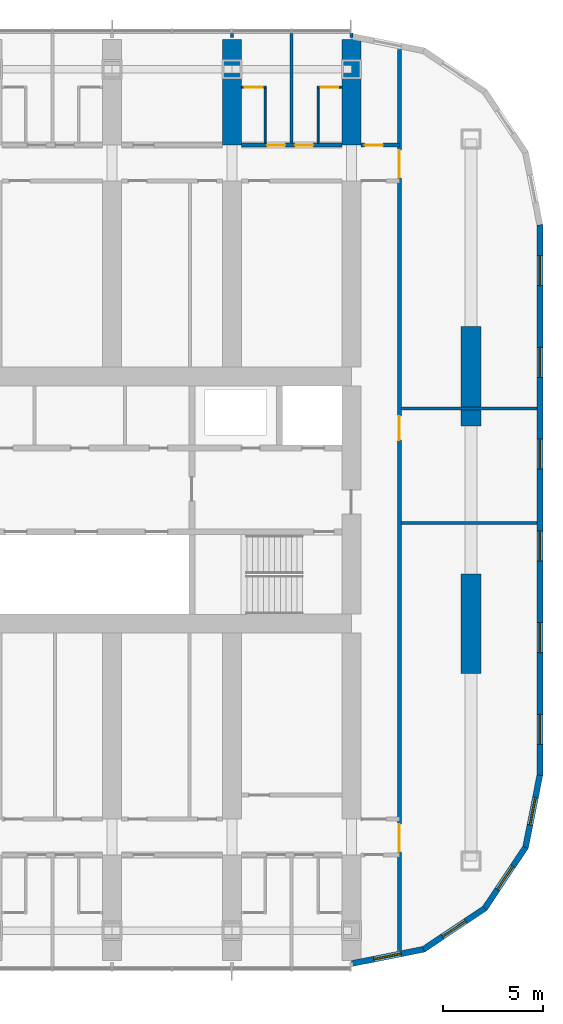
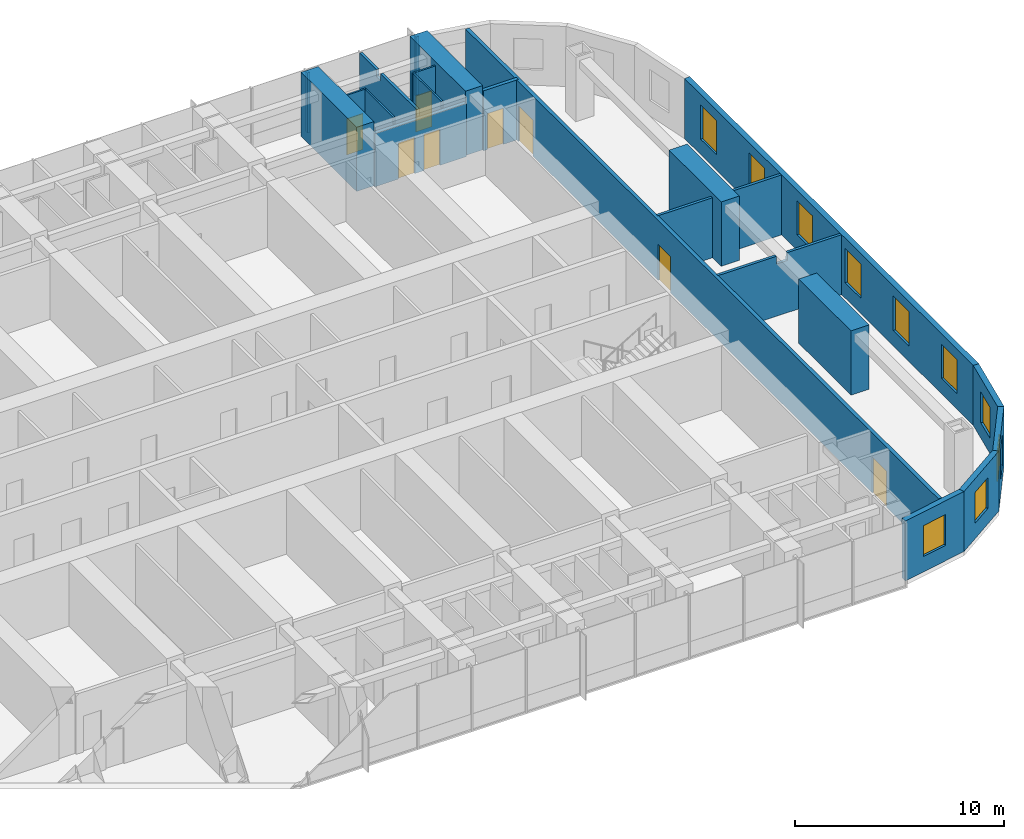
# One storey, part 15 of 21: 21 walls, 10 windows, 8 doors, 18 openings.
"""IFC4 building model written with IfcOpenShell, lengths in metres."""

from ifc_helpers import new_model, si_unit, direction, frame, frame_2d, origin, place, context, subcontext, project, spatial, polyline, rectangle, outline, extrude, material, layer, layer_set, type_object, element, fill, save


model = new_model("IFC4")

# Units and contexts
model_context = context("Model", 3, precision=1e-05, world=origin(), true_north=direction((0.0, 1.0)))
body_context = subcontext(model_context, "Body", "Model", "MODEL_VIEW")
ifc_project = project(units=[si_unit("LENGTHUNIT", "METRE"), si_unit("AREAUNIT", "SQUARE_METRE"), si_unit("VOLUMEUNIT", "CUBIC_METRE"), si_unit("PLANEANGLEUNIT", "RADIAN"), si_unit("MASSUNIT", "GRAM", prefix="KILO")], contexts=[model_context])

# Site, building, storey
site_placement = place(None, origin())
site = spatial("IfcSite", under=ifc_project, at=site_placement, CompositionType="ELEMENT")
building_placement = place(site_placement, origin())
building = spatial("IfcBuilding", under=site, at=building_placement, Name="Orbita Commons", CompositionType="ELEMENT")
storey_placement = place(building_placement, frame((0.0, 0.0, 103.14990234375)))
storey = spatial("IfcBuildingStorey", under=building, at=storey_placement, Name="L25", CompositionType="ELEMENT", Elevation=103.14990234375)

# Wall, openings, doors
ifc_material_1 = material(Name="Concrete blockwork", Category="masonry")
ifc_layer_1 = layer(ifc_material_1, 0.199951171875)
ifc_layer_set_1 = layer_set([ifc_layer_1], Name="Concrete blockwork")
wall_type_1 = type_object("IfcWallType", Name="Corridor wall 200 blockwork", PredefinedType="SOLIDWALL", material=ifc_layer_set_1)
wall_1_placement = place(storey_placement, frame((60.47509765625, 49.800048828125, 0.0), z_axis=(0.0, 0.0, 1.0), x_axis=(1.0, 0.0, 0.0)))
wall_1 = element("IfcWall", 1, at=wall_1_placement, inside=storey, type_object=wall_type_1, Name="Corridor wall 200 blockwork L25", PredefinedType="SOLIDWALL", context=body_context, shape_type="SweptSolid", body=[
    extrude(outline(polyline([(0.0, 0.0), (5.0498046875, 0.0), (5.050048828125, 3.10009765625), (0.0, 3.10009765625), (0.0, 0.0)])), frame((0.0, 0.10009765625, 0.0), z_axis=(0.0, -1.0, 0.0), x_axis=(1.0, 0.0, 0.0)), (0.0, 0.0, 1.0), 0.199951171875),
])
opening_1_placement = place(wall_1_placement, frame((1.300048828125, 0.0, 0.0)))
opening_1 = element("IfcOpeningElement", 2, at=opening_1_placement, cuts=wall_1, Name="Opening D11", PredefinedType="OPENING", context=body_context, shape_type="SweptSolid", body=[
    extrude(rectangle(XDim=0.89990234375, YDim=2.10009765625, at=frame_2d((0.449951171875, 1.050048828125))), frame((0.0, 0.10986328125, 0.0), z_axis=(0.0, -1.0, 0.0), x_axis=(1.0, 0.0, 0.0)), (0.0, 0.0, 1.0), 0.219970703125),
])
opening_2_placement = place(wall_1_placement, frame((2.699951171875, 0.0, 0.0)))
opening_2 = element("IfcOpeningElement", 3, at=opening_2_placement, cuts=wall_1, Name="Opening D11", PredefinedType="OPENING", context=body_context, shape_type="SweptSolid", body=[
    extrude(rectangle(XDim=0.89990234375, YDim=2.10009765625, at=frame_2d((0.449951171875, 1.050048828125))), frame((0.0, 0.10986328125, 0.0), z_axis=(0.0, -1.0, 0.0), x_axis=(1.0, 0.0, 0.0)), (0.0, 0.0, 1.0), 0.219970703125),
])
ifc_material_2 = material(Name="Steel-faced fire door leaf", Category="steel")
door_type_1 = type_object("IfcDoorType", Name="Corridor door 20 min 900x2100", OperationType="SINGLE_SWING_LEFT", PredefinedType="DOOR", material=ifc_material_2)
door_1_placement = place(opening_1_placement, origin())
door_1 = element("IfcDoor", 4, at=door_1_placement, inside=storey, type_object=door_type_1, Name="Cluster bedroom L25-N16 door", OperationType="SINGLE_SWING_LEFT", OverallHeight=2.10009765625, OverallWidth=0.89990234375, PredefinedType="DOOR", context=body_context, shape_type="SweptSolid", body=[
    extrude(rectangle(XDim=0.89990234375, YDim=2.10009765625, at=frame_2d((0.449951171875, 1.050048828125))), frame((0.0, 0.02490234375, 0.0), z_axis=(0.0, -1.0, 0.0), x_axis=(1.0, 0.0, 0.0)), (0.0, 0.0, 1.0), 0.050048828125),
])
fill(opening_1, door_1)
door_2_placement = place(opening_2_placement, origin())
door_2 = element("IfcDoor", 5, at=door_2_placement, inside=storey, type_object=door_type_1, Name="Cluster bedroom L25-N17 door", OperationType="SINGLE_SWING_LEFT", OverallHeight=2.10009765625, OverallWidth=0.89990234375, PredefinedType="DOOR", context=body_context, shape_type="SweptSolid", body=[
    extrude(rectangle(XDim=0.89990234375, YDim=2.10009765625, at=frame_2d((0.449951171875, 1.050048828125))), frame((0.0, 0.02490234375, 0.0), z_axis=(0.0, -1.0, 0.0), x_axis=(1.0, 0.0, 0.0)), (0.0, 0.0, 1.0), 0.050048828125),
])
fill(opening_2, door_2)

# Wall, opening, door
wall_2_placement = place(storey_placement, frame((66.47509765625, 49.800048828125, 0.0), z_axis=(0.0, 0.0, 1.0), x_axis=(1.0, 0.0, 0.0)))
wall_2 = element("IfcWall", 6, at=wall_2_placement, inside=storey, type_object=wall_type_1, Name="Corridor wall 200 blockwork L25", PredefinedType="SOLIDWALL", context=body_context, shape_type="SweptSolid", body=[
    extrude(rectangle(XDim=1.9248046875, YDim=0.199951171875, at=frame_2d((0.96240234375, 0.0))), origin(), (0.0, 0.0, 1.0), 3.5),
])
opening_3_placement = place(wall_2_placement, frame((0.199951171875, 0.0, 0.0)))
opening_3 = element("IfcOpeningElement", 7, at=opening_3_placement, cuts=wall_2, Name="Opening D05", PredefinedType="OPENING", context=body_context, shape_type="SweptSolid", body=[
    extrude(rectangle(XDim=0.89990234375, YDim=2.10009765625, at=frame_2d((0.449951171875, 1.050048828125))), frame((0.0, 0.10986328125, 0.0), z_axis=(0.0, -1.0, 0.0), x_axis=(1.0, 0.0, 0.0)), (0.0, 0.0, 1.0), 0.219970703125),
])
ifc_material_3 = material(Name="Steel-faced fire door leaf", Category="steel")
door_type_2 = type_object("IfcDoorType", Name="Service door 20 min 900x2100", OperationType="SINGLE_SWING_LEFT", PredefinedType="DOOR", material=ifc_material_3)
door_3_placement = place(opening_3_placement, origin())
door_3 = element("IfcDoor", 8, at=door_3_placement, inside=storey, type_object=door_type_2, Name="Linen store L25-KEN door", OperationType="SINGLE_SWING_LEFT", OverallHeight=2.10009765625, OverallWidth=0.89990234375, PredefinedType="DOOR", context=body_context, shape_type="SweptSolid", body=[
    extrude(rectangle(XDim=0.89990234375, YDim=2.10009765625, at=frame_2d((0.449951171875, 1.050048828125))), frame((0.0, 0.02490234375, 0.0), z_axis=(0.0, -1.0, 0.0), x_axis=(1.0, 0.0, 0.0)), (0.0, 0.0, 1.0), 0.050048828125),
])
fill(opening_3, door_3)

# Wall, openings, doors
wall_3_placement = place(storey_placement, frame((68.39990234375, 9.4052734375, 0.0), z_axis=(0.0, 0.0, 1.0), x_axis=(0.0, 1.0, 0.0)))
wall_3 = element("IfcWall", 9, at=wall_3_placement, inside=storey, type_object=wall_type_1, Name="Corridor wall 200 blockwork L25", PredefinedType="SOLIDWALL", context=body_context, shape_type="SweptSolid", body=[
    extrude(rectangle(XDim=45.189453125, YDim=0.199951171875, at=frame_2d((22.5947265625, 0.0))), origin(), (0.0, 0.0, 1.0), 3.5),
])
opening_4_placement = place(wall_3_placement, frame((25.5947265625, 0.0, 0.0)))
opening_4 = element("IfcOpeningElement", 10, at=opening_4_placement, cuts=wall_3, Name="Opening D15", PredefinedType="OPENING", context=body_context, shape_type="SweptSolid", body=[
    extrude(rectangle(XDim=1.199951171875, YDim=2.10009765625, at=frame_2d((0.60009765625, 1.050048828125))), frame((0.0, 0.10986328125, 0.0), z_axis=(0.0, -1.0, 0.0), x_axis=(1.0, 0.0, 0.0)), (0.0, 0.0, 1.0), 0.219970703125),
])
opening_5_placement = place(wall_3_placement, frame((4.94482421875, 0.0, 0.0)))
opening_5 = element("IfcOpeningElement", 11, at=opening_5_placement, cuts=wall_3, Name="Opening D08", PredefinedType="OPENING", context=body_context, shape_type="SweptSolid", body=[
    extrude(rectangle(XDim=1.39990234375, YDim=2.10009765625, at=frame_2d((0.699951171875, 1.050048828125))), frame((0.0, 0.10986328125, 0.0), z_axis=(0.0, -1.0, 0.0), x_axis=(1.0, 0.0, 0.0)), (0.0, 0.0, 1.0), 0.219970703125),
])
opening_6_placement = place(wall_3_placement, frame((38.74462890625, 0.0, 0.0)))
opening_6 = element("IfcOpeningElement", 12, at=opening_6_placement, cuts=wall_3, Name="Opening D08", PredefinedType="OPENING", context=body_context, shape_type="SweptSolid", body=[
    extrude(rectangle(XDim=1.39990234375, YDim=2.10009765625, at=frame_2d((0.699951171875, 1.050048828125))), frame((0.0, 0.10986328125, 0.0), z_axis=(0.0, -1.0, 0.0), x_axis=(1.0, 0.0, 0.0)), (0.0, 0.0, 1.0), 0.219970703125),
])
ifc_material_4 = material(Name="Steel-faced fire door leaf", Category="steel")
door_type_3 = type_object("IfcDoorType", Name="Corridor door 20 min 1200x2100", OperationType="SINGLE_SWING_LEFT", PredefinedType="DOOR", material=ifc_material_4)
door_4_placement = place(opening_4_placement, origin())
door_4 = element("IfcDoor", 13, at=door_4_placement, inside=storey, type_object=door_type_3, Name="Study commons door", OperationType="SINGLE_SWING_LEFT", OverallHeight=2.10009765625, OverallWidth=1.199951171875, PredefinedType="DOOR", context=body_context, shape_type="SweptSolid", body=[
    extrude(rectangle(XDim=1.199951171875, YDim=2.10009765625, at=frame_2d((0.60009765625, 1.050048828125))), frame((0.0, 0.02490234375, 0.0), z_axis=(0.0, -1.0, 0.0), x_axis=(1.0, 0.0, 0.0)), (0.0, 0.0, 1.0), 0.050048828125),
])
fill(opening_4, door_4)
ifc_material_5 = material(Name="Steel-faced fire door leaf", Category="steel")
door_type_4 = type_object("IfcDoorType", Name="Double corridor door 20 min 1400x2100", OperationType="DOUBLE_DOOR_SINGLE_SWING", PredefinedType="DOOR", material=ifc_material_5)
door_5_placement = place(opening_5_placement, origin())
door_5 = element("IfcDoor", 14, at=door_5_placement, inside=storey, type_object=door_type_4, Name="Lounge doors", OperationType="DOUBLE_DOOR_SINGLE_SWING", OverallHeight=2.10009765625, OverallWidth=1.39990234375, PredefinedType="DOOR", context=body_context, shape_type="SweptSolid", body=[
    extrude(rectangle(XDim=1.39990234375, YDim=2.10009765625, at=frame_2d((0.699951171875, 1.050048828125))), frame((0.0, 0.02490234375, 0.0), z_axis=(0.0, -1.0, 0.0), x_axis=(1.0, 0.0, 0.0)), (0.0, 0.0, 1.0), 0.050048828125),
])
fill(opening_5, door_5)
door_6_placement = place(opening_6_placement, origin())
door_6 = element("IfcDoor", 15, at=door_6_placement, inside=storey, type_object=door_type_4, Name="Lounge doors", OperationType="DOUBLE_DOOR_SINGLE_SWING", OverallHeight=2.10009765625, OverallWidth=1.39990234375, PredefinedType="DOOR", context=body_context, shape_type="SweptSolid", body=[
    extrude(rectangle(XDim=1.39990234375, YDim=2.10009765625, at=frame_2d((0.699951171875, 1.050048828125))), frame((0.0, 0.02490234375, 0.0), z_axis=(0.0, -1.0, 0.0), x_axis=(1.0, 0.0, 0.0)), (0.0, 0.0, 1.0), 0.050048828125),
])
fill(opening_6, door_6)

# Walls
ifc_material_6 = material(Name="Concrete C50/60", Category="concrete")
ifc_layer_2 = layer(ifc_material_6, 0.949951171875)
ifc_layer_set_2 = layer_set([ifc_layer_2], Name="Concrete C50/60")
wall_type_2 = type_object("IfcWallType", Name="Cross wall 950 C50/60", PredefinedType="SHEAR", material=ifc_layer_set_2)
for number, where, z_axis, x_axis, name in (
    (16, (60.0, 49.800048828125, 0.0), (0.0, 0.0, 1.0), (0.0, 1.0, 0.0), "Cross wall 11 north outer L25"),
    (17, (66.0, 49.800048828125, 0.0), (0.0, 0.0, 1.0), (0.0, 1.0, 0.0), "Cross wall 12 north outer L25"),
):
    element("IfcWall", number, at=place(storey_placement, frame(where, z_axis=z_axis, x_axis=x_axis)), inside=storey, type_object=wall_type_2, Name=name, PredefinedType="SHEAR", context=body_context, shape_type="SweptSolid", body=[
        extrude(rectangle(XDim=5.300048828125, YDim=0.949951171875, at=frame_2d((2.64990234375, 0.0))), origin(), (0.0, 0.0, 1.0), 3.75),
    ])

# Wall, opening, door
ifc_material_7 = material(Name="Moisture-resistant plasterboard on steel studs", Category="steel")
ifc_layer_3 = layer(ifc_material_7, 0.10009765625)
ifc_layer_set_3 = layer_set([ifc_layer_3], Name="Moisture-resistant plasterboard on steel studs")
wall_type_3 = type_object("IfcWallType", Name="En-suite partition 100", PredefinedType="PARTITIONING", material=ifc_layer_set_3)
wall_4_placement = place(storey_placement, frame((60.47509765625, 52.699951171875, 0.0), z_axis=(0.0, 0.0, 1.0), x_axis=(1.0, 0.0, 0.0)))
wall_4 = element("IfcWall", 18, at=wall_4_placement, inside=storey, type_object=wall_type_3, Name="En-suite partition 100 L25", PredefinedType="PARTITIONING", context=body_context, shape_type="SweptSolid", body=[
    extrude(rectangle(XDim=1.25, YDim=0.10009765625, at=frame_2d((0.625, 0.0))), origin(), (0.0, 0.0, 1.0), 3.5),
])
opening_7_placement = place(wall_4_placement, frame((0.175048828125, 0.0, 0.0)))
opening_7 = element("IfcOpeningElement", 19, at=opening_7_placement, cuts=wall_4, Name="Opening D09", PredefinedType="OPENING", context=body_context, shape_type="SweptSolid", body=[
    extrude(rectangle(XDim=0.89990234375, YDim=2.10009765625, at=frame_2d((0.449951171875, 1.050048828125))), frame((0.0, 0.06005859375, 0.0), z_axis=(0.0, -1.0, 0.0), x_axis=(1.0, 0.0, 0.0)), (0.0, 0.0, 1.0), 0.1201171875),
])
ifc_material_8 = material(Name="Laminated timber door leaf", Category="wood")
door_type_5 = type_object("IfcDoorType", Name="En-suite door 900x2100", OperationType="SINGLE_SWING_RIGHT", PredefinedType="DOOR", material=ifc_material_8)
door_7_placement = place(opening_7_placement, origin())
door_7 = element("IfcDoor", 20, at=door_7_placement, inside=storey, type_object=door_type_5, Name="En-suite L25-N16 door", OperationType="SINGLE_SWING_RIGHT", OverallHeight=2.10009765625, OverallWidth=0.89990234375, PredefinedType="DOOR", context=body_context, shape_type="SweptSolid", body=[
    extrude(rectangle(XDim=0.89990234375, YDim=2.10009765625, at=frame_2d((0.449951171875, 1.050048828125))), frame((0.0, 0.02490234375, 0.0), z_axis=(0.0, -1.0, 0.0), x_axis=(1.0, 0.0, 0.0)), (0.0, 0.0, 1.0), 0.050048828125),
])
fill(opening_7, door_7)

# Wall
wall_5_placement = place(storey_placement, frame((61.675048828125, 52.64990234375, 0.0), z_axis=(0.0, 0.0, 1.0), x_axis=(0.0, -1.0, 0.0)))
element("IfcWall", 21, at=wall_5_placement, inside=storey, type_object=wall_type_3, Name="En-suite partition 100 L25", PredefinedType="PARTITIONING", context=body_context, shape_type="SweptSolid", body=[
    extrude(outline(polyline([(0.0, 0.0), (2.75, 0.0), (2.75, 3.10009765625), (2.701904296875, 3.10009765625), (2.699951171875, 3.5), (0.0, 3.5), (0.0, 0.0)])), frame((0.0, 0.050048828125, 0.0), z_axis=(0.0, -1.0, 0.0), x_axis=(1.0, 0.0, 0.0)), (0.0, 0.0, 1.0), 0.10009765625),
])

# Wall, opening, door
wall_6_placement = place(storey_placement, frame((64.27490234375, 52.699951171875, 0.0), z_axis=(0.0, 0.0, 1.0), x_axis=(1.0, 0.0, 0.0)))
wall_6 = element("IfcWall", 22, at=wall_6_placement, inside=storey, type_object=wall_type_3, Name="En-suite partition 100 L25", PredefinedType="PARTITIONING", context=body_context, shape_type="SweptSolid", body=[
    extrude(rectangle(XDim=1.25, YDim=0.10009765625, at=frame_2d((0.625, 0.0))), origin(), (0.0, 0.0, 1.0), 3.5),
])
opening_8_placement = place(wall_6_placement, frame((0.175048828125, 0.0, 0.0)))
opening_8 = element("IfcOpeningElement", 23, at=opening_8_placement, cuts=wall_6, Name="Opening D09", PredefinedType="OPENING", context=body_context, shape_type="SweptSolid", body=[
    extrude(rectangle(XDim=0.89990234375, YDim=2.10009765625, at=frame_2d((0.449951171875, 1.050048828125))), frame((0.0, 0.06005859375, 0.0), z_axis=(0.0, -1.0, 0.0), x_axis=(1.0, 0.0, 0.0)), (0.0, 0.0, 1.0), 0.1201171875),
])
door_8_placement = place(opening_8_placement, origin())
door_8 = element("IfcDoor", 24, at=door_8_placement, inside=storey, type_object=door_type_5, Name="En-suite L25-N17 door", OperationType="SINGLE_SWING_RIGHT", OverallHeight=2.10009765625, OverallWidth=0.89990234375, PredefinedType="DOOR", context=body_context, shape_type="SweptSolid", body=[
    extrude(rectangle(XDim=0.89990234375, YDim=2.10009765625, at=frame_2d((0.449951171875, 1.050048828125))), frame((0.0, 0.02490234375, 0.0), z_axis=(0.0, -1.0, 0.0), x_axis=(1.0, 0.0, 0.0)), (0.0, 0.0, 1.0), 0.050048828125),
])
fill(opening_8, door_8)

# Walls
wall_7_placement = place(storey_placement, frame((64.324951171875, 52.64990234375, 0.0), z_axis=(0.0, 0.0, 1.0), x_axis=(0.0, -1.0, 0.0)))
element("IfcWall", 25, at=wall_7_placement, inside=storey, type_object=wall_type_3, Name="En-suite partition 100 L25", PredefinedType="PARTITIONING", context=body_context, shape_type="SweptSolid", body=[
    extrude(outline(polyline([(0.0, 0.0), (2.75, 0.0), (2.75, 3.10009765625), (2.701904296875, 3.10009765625), (2.699951171875, 3.5), (0.0, 3.5), (0.0, 0.0)])), frame((0.0, 0.050048828125, 0.0), z_axis=(0.0, -1.0, 0.0), x_axis=(1.0, 0.0, 0.0)), (0.0, 0.0, 1.0), 0.10009765625),
])
ifc_material_9 = material(Name="Concrete C50/60", Category="concrete")
ifc_layer_4 = layer(ifc_material_9, 1.0)
ifc_layer_set_4 = layer_set([ifc_layer_4], Name="Concrete C50/60")
wall_type_4 = type_object("IfcWallType", Name="End pier 1000x5000 C50/60", PredefinedType="SHEAR", material=ifc_layer_set_4)
for number, where, z_axis, x_axis, name in (
    (26, (72.0, 23.300048828125, 0.0), (0.0, 0.0, 1.0), (0.0, 1.0, 0.0), "End pier 13/C L25"),
    (27, (72.0, 35.699951171875, 0.0), (0.0, 0.0, 1.0), (0.0, 1.0, 0.0), "End pier 13/D L25"),
):
    element("IfcWall", number, at=place(storey_placement, frame(where, z_axis=z_axis, x_axis=x_axis)), inside=storey, type_object=wall_type_4, Name=name, PredefinedType="SHEAR", context=body_context, shape_type="SweptSolid", body=[
        extrude(rectangle(XDim=5.0, YDim=1.0, at=frame_2d((2.5, 0.0))), origin(), (0.0, 0.0, 1.0), 3.75),
    ])
ifc_material_10 = material(Name="Gypsum plasterboard on steel studs", Category="steel")
ifc_layer_5 = layer(ifc_material_10, 0.14990234375)
ifc_layer_set_5 = layer_set([ifc_layer_5], Name="Gypsum plasterboard on steel studs")
wall_type_5 = type_object("IfcWallType", Name="Partition 150 plasterboard", PredefinedType="PARTITIONING", material=ifc_layer_set_5)
wall_8_placement = place(storey_placement, frame((68.47509765625, 30.85009765625, 0.0), z_axis=(0.0, 0.0, 1.0), x_axis=(1.0, 0.0, 0.0)))
element("IfcWall", 28, at=wall_8_placement, inside=storey, type_object=wall_type_5, Name="Partition 150 plasterboard L25", PredefinedType="PARTITIONING", context=body_context, shape_type="SweptSolid", body=[
    extrude(outline(polyline([(0.0, 0.0), (6.81982421875, 0.0), (6.820068359375, 3.5), (3.826904296875, 3.5), (3.824951171875, 3.050048828125), (3.22705078125, 3.050048828125), (3.22509765625, 3.5), (0.0, 3.5), (0.0, 0.0)])), frame((0.0, 0.074951171875, 0.0), z_axis=(0.0, -1.0, 0.0), x_axis=(1.0, 0.0, 0.0)), (0.0, 0.0, 1.0), 0.14990234375),
])
wall_9_placement = place(storey_placement, frame((68.47509765625, 36.60009765625, 0.0), z_axis=(0.0, 0.0, 1.0), x_axis=(1.0, 0.0, 0.0)))
element("IfcWall", 29, at=wall_9_placement, inside=storey, type_object=wall_type_5, Name="Partition 150 plasterboard L25", PredefinedType="PARTITIONING", context=body_context, shape_type="SweptSolid", body=[
    extrude(rectangle(XDim=6.81982421875, YDim=0.14990234375, at=frame_2d((3.409912109375, 0.0))), origin(), (0.0, 0.0, 1.0), 3.5),
])
wall_10_placement = place(storey_placement, frame((60.0, 55.199951171875, 0.0), z_axis=(0.0, 0.0, 1.0), x_axis=(0.0, 1.0, 0.0)))
element("IfcWall", 30, at=wall_10_placement, inside=storey, type_object=wall_type_5, Name="Partition 150 plasterboard L25", PredefinedType="PARTITIONING", context=body_context, shape_type="SweptSolid", body=[
    extrude(rectangle(XDim=0.18994140625, YDim=0.14990234375, at=frame_2d((0.094970703125, 0.0))), origin(), (0.0, 0.0, 1.0), 3.5),
])
wall_11_placement = place(storey_placement, frame((66.0, 55.199951171875, 0.0), z_axis=(0.0, 0.0, 1.0), x_axis=(0.0, 1.0, 0.0)))
element("IfcWall", 31, at=wall_11_placement, inside=storey, type_object=wall_type_5, Name="Partition 150 plasterboard L25", PredefinedType="PARTITIONING", context=body_context, shape_type="SweptSolid", body=[
    extrude(rectangle(XDim=0.219970703125, YDim=0.14990234375, at=frame_2d((0.10986328125, 0.0))), origin(), (0.0, 0.0, 1.0), 3.5),
])
ifc_material_11 = material(Name="Gypsum plasterboard on steel studs", Category="steel")
ifc_layer_6 = layer(ifc_material_11, 0.14990234375)
ifc_layer_set_6 = layer_set([ifc_layer_6], Name="Gypsum plasterboard on steel studs")
wall_type_6 = type_object("IfcWallType", Name="Party wall 150 plasterboard", PredefinedType="PARTITIONING", material=ifc_layer_set_6)
wall_12_placement = place(storey_placement, frame((63.0, 55.389892578125, 0.0), z_axis=(0.0, 0.0, 1.0), x_axis=(0.0, -1.0, 0.0)))
element("IfcWall", 32, at=wall_12_placement, inside=storey, type_object=wall_type_6, Name="Party wall 150 plasterboard L25", PredefinedType="PARTITIONING", context=body_context, shape_type="SweptSolid", body=[
    extrude(outline(polyline([(0.0, 0.0), (5.489990234375, 0.0), (5.489990234375, 3.10009765625), (5.44189453125, 3.10009765625), (5.43994140625, 3.5), (1.991943359375, 3.5), (1.989990234375, 3.10009765625), (1.592041015625, 3.10009765625), (1.590087890625, 3.5), (0.0, 3.5), (0.0, 0.0)])), frame((0.0, 0.074951171875, 0.0), z_axis=(0.0, -1.0, 0.0), x_axis=(1.0, 0.0, 0.0)), (0.0, 0.0, 1.0), 0.14990234375),
])

# Wall, openings, windows
ifc_material_12 = material(Name="Precast concrete C40/50, white board-marked finish", Category="concrete")
ifc_layer_7 = layer(ifc_material_12, 0.300048828125)
ifc_layer_set_7 = layer_set([ifc_layer_7], Name="Precast concrete C40/50, white board-marked finish")
wall_type_7 = type_object("IfcWallType", Name="Precast concrete end shield 300", PredefinedType="SOLIDWALL", material=ifc_layer_set_7)
wall_13_placement = place(storey_placement, frame((75.449951171875, 18.199951171875, 0.0), z_axis=(0.0, 0.0, 1.0), x_axis=(0.0, 1.0, 0.0)))
wall_13 = element("IfcWall", 33, at=wall_13_placement, inside=storey, type_object=wall_type_7, Name="End shield E L25", PredefinedType="SOLIDWALL", context=body_context, shape_type="SweptSolid", body=[
    extrude(outline(polyline([(-0.014892578125, -0.14990234375), (27.614990234375, -0.14990234375), (27.585205078125, 0.14990234375), (0.014892578125, 0.14990234375), (-0.014892578125, -0.14990234375)])), origin(), (0.0, 0.0, 1.0), 3.5),
])
opening_9_placement = place(wall_13_placement, frame((1.550048828125, 0.0, 0.89990234375)))
opening_9 = element("IfcOpeningElement", 34, at=opening_9_placement, cuts=wall_13, Name="Opening W01", PredefinedType="OPENING", context=body_context, shape_type="SweptSolid", body=[
    extrude(rectangle(XDim=1.5, YDim=2.0, at=frame_2d((0.75, 1.0))), frame((0.0, 0.159912109375, 0.0), z_axis=(0.0, -1.0, 0.0), x_axis=(1.0, 0.0, 0.0)), (0.0, 0.0, 1.0), 0.320068359375),
])
opening_10_placement = place(wall_13_placement, frame((6.14990234375, 0.0, 0.89990234375)))
opening_10 = element("IfcOpeningElement", 35, at=opening_10_placement, cuts=wall_13, Name="Opening W01", PredefinedType="OPENING", context=body_context, shape_type="SweptSolid", body=[
    extrude(rectangle(XDim=1.5, YDim=2.0, at=frame_2d((0.75, 1.0))), frame((0.0, 0.159912109375, 0.0), z_axis=(0.0, -1.0, 0.0), x_axis=(1.0, 0.0, 0.0)), (0.0, 0.0, 1.0), 0.320068359375),
])
opening_11_placement = place(wall_13_placement, frame((10.75, 0.0, 0.89990234375)))
opening_11 = element("IfcOpeningElement", 36, at=opening_11_placement, cuts=wall_13, Name="Opening W01", PredefinedType="OPENING", context=body_context, shape_type="SweptSolid", body=[
    extrude(rectangle(XDim=1.5, YDim=2.0, at=frame_2d((0.75, 1.0))), frame((0.0, 0.159912109375, 0.0), z_axis=(0.0, -1.0, 0.0), x_axis=(1.0, 0.0, 0.0)), (0.0, 0.0, 1.0), 0.320068359375),
])
opening_12_placement = place(wall_13_placement, frame((15.35009765625, 0.0, 0.89990234375)))
opening_12 = element("IfcOpeningElement", 37, at=opening_12_placement, cuts=wall_13, Name="Opening W01", PredefinedType="OPENING", context=body_context, shape_type="SweptSolid", body=[
    extrude(rectangle(XDim=1.5, YDim=2.0, at=frame_2d((0.75, 1.0))), frame((0.0, 0.159912109375, 0.0), z_axis=(0.0, -1.0, 0.0), x_axis=(1.0, 0.0, 0.0)), (0.0, 0.0, 1.0), 0.320068359375),
])
opening_13_placement = place(wall_13_placement, frame((19.949951171875, 0.0, 0.89990234375)))
opening_13 = element("IfcOpeningElement", 38, at=opening_13_placement, cuts=wall_13, Name="Opening W01", PredefinedType="OPENING", context=body_context, shape_type="SweptSolid", body=[
    extrude(rectangle(XDim=1.5, YDim=2.0, at=frame_2d((0.75, 1.0))), frame((0.0, 0.159912109375, 0.0), z_axis=(0.0, -1.0, 0.0), x_axis=(1.0, 0.0, 0.0)), (0.0, 0.0, 1.0), 0.320068359375),
])
opening_14_placement = place(wall_13_placement, frame((24.550048828125, 0.0, 0.89990234375)))
opening_14 = element("IfcOpeningElement", 39, at=opening_14_placement, cuts=wall_13, Name="Opening W01", PredefinedType="OPENING", context=body_context, shape_type="SweptSolid", body=[
    extrude(rectangle(XDim=1.5, YDim=2.0, at=frame_2d((0.75, 1.0))), frame((0.0, 0.159912109375, 0.0), z_axis=(0.0, -1.0, 0.0), x_axis=(1.0, 0.0, 0.0)), (0.0, 0.0, 1.0), 0.320068359375),
])
ifc_material_13 = material(Name="Aluminium frame, clear double glazing", Category="aluminium")
window_type_1 = type_object("IfcWindowType", Name="Deep-set window 1500x2000", PartitioningType="SINGLE_PANEL", PredefinedType="WINDOW", material=ifc_material_13)
window_1_placement = place(opening_9_placement, origin())
window_1 = element("IfcWindow", 40, at=window_1_placement, inside=storey, type_object=window_type_1, Name="Window L25-E 1", OverallHeight=2.0, OverallWidth=1.5, PartitioningType="SINGLE_PANEL", PredefinedType="WINDOW", context=body_context, shape_type="SweptSolid", body=[
    extrude(rectangle(XDim=1.5, YDim=2.0, at=frame_2d((0.75, 1.0))), frame((0.0, 0.030029296875, 0.0), z_axis=(0.0, -1.0, 0.0), x_axis=(1.0, 0.0, 0.0)), (0.0, 0.0, 1.0), 0.06005859375),
])
fill(opening_9, window_1)
window_2_placement = place(opening_10_placement, origin())
window_2 = element("IfcWindow", 41, at=window_2_placement, inside=storey, type_object=window_type_1, Name="Window L25-E 2", OverallHeight=2.0, OverallWidth=1.5, PartitioningType="SINGLE_PANEL", PredefinedType="WINDOW", context=body_context, shape_type="SweptSolid", body=[
    extrude(rectangle(XDim=1.5, YDim=2.0, at=frame_2d((0.75, 1.0))), frame((0.0, 0.030029296875, 0.0), z_axis=(0.0, -1.0, 0.0), x_axis=(1.0, 0.0, 0.0)), (0.0, 0.0, 1.0), 0.06005859375),
])
fill(opening_10, window_2)
window_3_placement = place(opening_11_placement, origin())
window_3 = element("IfcWindow", 42, at=window_3_placement, inside=storey, type_object=window_type_1, Name="Window L25-E 3", OverallHeight=2.0, OverallWidth=1.5, PartitioningType="SINGLE_PANEL", PredefinedType="WINDOW", context=body_context, shape_type="SweptSolid", body=[
    extrude(rectangle(XDim=1.5, YDim=2.0, at=frame_2d((0.75, 1.0))), frame((0.0, 0.030029296875, 0.0), z_axis=(0.0, -1.0, 0.0), x_axis=(1.0, 0.0, 0.0)), (0.0, 0.0, 1.0), 0.06005859375),
])
fill(opening_11, window_3)
window_4_placement = place(opening_12_placement, origin())
window_4 = element("IfcWindow", 43, at=window_4_placement, inside=storey, type_object=window_type_1, Name="Window L25-E 4", OverallHeight=2.0, OverallWidth=1.5, PartitioningType="SINGLE_PANEL", PredefinedType="WINDOW", context=body_context, shape_type="SweptSolid", body=[
    extrude(rectangle(XDim=1.5, YDim=2.0, at=frame_2d((0.75, 1.0))), frame((0.0, 0.030029296875, 0.0), z_axis=(0.0, -1.0, 0.0), x_axis=(1.0, 0.0, 0.0)), (0.0, 0.0, 1.0), 0.06005859375),
])
fill(opening_12, window_4)
window_5_placement = place(opening_13_placement, origin())
window_5 = element("IfcWindow", 44, at=window_5_placement, inside=storey, type_object=window_type_1, Name="Window L25-E 5", OverallHeight=2.0, OverallWidth=1.5, PartitioningType="SINGLE_PANEL", PredefinedType="WINDOW", context=body_context, shape_type="SweptSolid", body=[
    extrude(rectangle(XDim=1.5, YDim=2.0, at=frame_2d((0.75, 1.0))), frame((0.0, 0.030029296875, 0.0), z_axis=(0.0, -1.0, 0.0), x_axis=(1.0, 0.0, 0.0)), (0.0, 0.0, 1.0), 0.06005859375),
])
fill(opening_13, window_5)
window_6_placement = place(opening_14_placement, origin())
window_6 = element("IfcWindow", 45, at=window_6_placement, inside=storey, type_object=window_type_1, Name="Window L25-E 6", OverallHeight=2.0, OverallWidth=1.5, PartitioningType="SINGLE_PANEL", PredefinedType="WINDOW", context=body_context, shape_type="SweptSolid", body=[
    extrude(rectangle(XDim=1.5, YDim=2.0, at=frame_2d((0.75, 1.0))), frame((0.0, 0.030029296875, 0.0), z_axis=(0.0, -1.0, 0.0), x_axis=(1.0, 0.0, 0.0)), (0.0, 0.0, 1.0), 0.06005859375),
])
fill(opening_14, window_6)

# Wall, opening, window
wall_14_placement = place(storey_placement, frame((66.0, 8.75, 0.0), z_axis=(0.0, 0.0, 1.0), x_axis=(0.980791473772, 0.195059183267, 0.0)))
wall_14 = element("IfcWall", 46, at=wall_14_placement, inside=storey, type_object=wall_type_7, Name="End shield SE chord 1 L25", PredefinedType="SOLIDWALL", context=body_context, shape_type="SweptSolid", body=[
    extrude(outline(polyline([(-0.02978515625, -0.14990234375), (3.717041015625, -0.14990234375), (3.657470703125, 0.14990234375), (0.02978515625, 0.14990234375), (-0.02978515625, -0.14990234375)])), origin(), (0.0, 0.0, 1.0), 3.5),
])
opening_15_placement = place(wall_14_placement, frame((1.1435546875, 0.0, 0.89990234375)))
opening_15 = element("IfcOpeningElement", 47, at=opening_15_placement, cuts=wall_14, Name="Opening W02", PredefinedType="OPENING", context=body_context, shape_type="SweptSolid", body=[
    extrude(rectangle(XDim=1.39990234375, YDim=1.800048828125, at=frame_2d((0.699951171875, 0.89990234375))), frame((0.0, 0.159912109375, 0.0), z_axis=(0.0, -1.0, 0.0), x_axis=(1.0, 0.0, 0.0)), (0.0, 0.0, 1.0), 0.320068359375),
])
ifc_material_14 = material(Name="Aluminium frame, clear double glazing", Category="aluminium")
window_type_2 = type_object("IfcWindowType", Name="Deep-set window 1400x1800", PartitioningType="SINGLE_PANEL", PredefinedType="WINDOW", material=ifc_material_14)
window_7_placement = place(opening_15_placement, origin())
window_7 = element("IfcWindow", 48, at=window_7_placement, inside=storey, type_object=window_type_2, Name="Window L25-SE0", OverallHeight=1.800048828125, OverallWidth=1.39990234375, PartitioningType="SINGLE_PANEL", PredefinedType="WINDOW", context=body_context, shape_type="SweptSolid", body=[
    extrude(rectangle(XDim=1.39990234375, YDim=1.800048828125, at=frame_2d((0.699951171875, 0.89990234375))), frame((0.0, 0.030029296875, 0.0), z_axis=(0.0, -1.0, 0.0), x_axis=(1.0, 0.0, 0.0)), (0.0, 0.0, 1.0), 0.06005859375),
])
fill(opening_15, window_7)

wall_15_placement = place(storey_placement, frame((69.616455078125, 9.46923828125, 0.0), z_axis=(0.0, 0.0, 1.0), x_axis=(0.831448786846, 0.555601399253, 0.0)))
wall_15 = element("IfcWall", 49, at=wall_15_placement, inside=storey, type_object=wall_type_7, Name="End shield SE chord 2 L25", PredefinedType="SOLIDWALL", context=body_context, shape_type="SweptSolid", body=[
    extrude(outline(polyline([(-0.02978515625, -0.14990234375), (3.717041015625, -0.14990234375), (3.657470703125, 0.14990234375), (0.02978515625, 0.14990234375), (-0.02978515625, -0.14990234375)])), origin(), (0.0, 0.0, 1.0), 3.5),
])
opening_16_placement = place(wall_15_placement, frame((1.1435546875, 0.0, 0.89990234375)))
opening_16 = element("IfcOpeningElement", 50, at=opening_16_placement, cuts=wall_15, Name="Opening W02", PredefinedType="OPENING", context=body_context, shape_type="SweptSolid", body=[
    extrude(rectangle(XDim=1.39990234375, YDim=1.800048828125, at=frame_2d((0.699951171875, 0.89990234375))), frame((0.0, 0.159912109375, 0.0), z_axis=(0.0, -1.0, 0.0), x_axis=(1.0, 0.0, 0.0)), (0.0, 0.0, 1.0), 0.320068359375),
])
window_8_placement = place(opening_16_placement, origin())
window_8 = element("IfcWindow", 51, at=window_8_placement, inside=storey, type_object=window_type_2, Name="Window L25-SE1", OverallHeight=1.800048828125, OverallWidth=1.39990234375, PartitioningType="SINGLE_PANEL", PredefinedType="WINDOW", context=body_context, shape_type="SweptSolid", body=[
    extrude(rectangle(XDim=1.39990234375, YDim=1.800048828125, at=frame_2d((0.699951171875, 0.89990234375))), frame((0.0, 0.030029296875, 0.0), z_axis=(0.0, -1.0, 0.0), x_axis=(1.0, 0.0, 0.0)), (0.0, 0.0, 1.0), 0.06005859375),
])
fill(opening_16, window_8)

wall_16_placement = place(storey_placement, frame((72.68212890625, 11.517822265625, 0.0), z_axis=(0.0, 0.0, 1.0), x_axis=(0.555601399253, 0.831448786846, 0.0)))
wall_16 = element("IfcWall", 52, at=wall_16_placement, inside=storey, type_object=wall_type_7, Name="End shield SE chord 3 L25", PredefinedType="SOLIDWALL", context=body_context, shape_type="SweptSolid", body=[
    extrude(outline(polyline([(-0.02978515625, -0.14990234375), (3.717041015625, -0.14990234375), (3.657470703125, 0.14990234375), (0.02978515625, 0.14990234375), (-0.02978515625, -0.14990234375)])), origin(), (0.0, 0.0, 1.0), 3.5),
])
opening_17_placement = place(wall_16_placement, frame((1.1435546875, 0.0, 0.89990234375)))
opening_17 = element("IfcOpeningElement", 53, at=opening_17_placement, cuts=wall_16, Name="Opening W02", PredefinedType="OPENING", context=body_context, shape_type="SweptSolid", body=[
    extrude(rectangle(XDim=1.39990234375, YDim=1.800048828125, at=frame_2d((0.699951171875, 0.89990234375))), frame((0.0, 0.159912109375, 0.0), z_axis=(0.0, -1.0, 0.0), x_axis=(1.0, 0.0, 0.0)), (0.0, 0.0, 1.0), 0.320068359375),
])
window_9_placement = place(opening_17_placement, origin())
window_9 = element("IfcWindow", 54, at=window_9_placement, inside=storey, type_object=window_type_2, Name="Window L25-SE2", OverallHeight=1.800048828125, OverallWidth=1.39990234375, PartitioningType="SINGLE_PANEL", PredefinedType="WINDOW", context=body_context, shape_type="SweptSolid", body=[
    extrude(rectangle(XDim=1.39990234375, YDim=1.800048828125, at=frame_2d((0.699951171875, 0.89990234375))), frame((0.0, 0.030029296875, 0.0), z_axis=(0.0, -1.0, 0.0), x_axis=(1.0, 0.0, 0.0)), (0.0, 0.0, 1.0), 0.06005859375),
])
fill(opening_17, window_9)

wall_17_placement = place(storey_placement, frame((74.730712890625, 14.58349609375, 0.0), z_axis=(0.0, 0.0, 1.0), x_axis=(0.195059183267, 0.980791473772, 0.0)))
wall_17 = element("IfcWall", 55, at=wall_17_placement, inside=storey, type_object=wall_type_7, Name="End shield SE chord 4 L25", PredefinedType="SOLIDWALL", context=body_context, shape_type="SweptSolid", body=[
    extrude(outline(polyline([(-0.02978515625, -0.14990234375), (3.7021484375, -0.14990234375), (3.67236328125, 0.14990234375), (0.02978515625, 0.14990234375), (-0.02978515625, -0.14990234375)])), origin(), (0.0, 0.0, 1.0), 3.5),
])
opening_18_placement = place(wall_17_placement, frame((1.1435546875, 0.0, 0.89990234375)))
opening_18 = element("IfcOpeningElement", 56, at=opening_18_placement, cuts=wall_17, Name="Opening W02", PredefinedType="OPENING", context=body_context, shape_type="SweptSolid", body=[
    extrude(rectangle(XDim=1.39990234375, YDim=1.800048828125, at=frame_2d((0.699951171875, 0.89990234375))), frame((0.0, 0.159912109375, 0.0), z_axis=(0.0, -1.0, 0.0), x_axis=(1.0, 0.0, 0.0)), (0.0, 0.0, 1.0), 0.320068359375),
])
window_10_placement = place(opening_18_placement, origin())
window_10 = element("IfcWindow", 57, at=window_10_placement, inside=storey, type_object=window_type_2, Name="Window L25-SE3", OverallHeight=1.800048828125, OverallWidth=1.39990234375, PartitioningType="SINGLE_PANEL", PredefinedType="WINDOW", context=body_context, shape_type="SweptSolid", body=[
    extrude(rectangle(XDim=1.39990234375, YDim=1.800048828125, at=frame_2d((0.699951171875, 0.89990234375))), frame((0.0, 0.030029296875, 0.0), z_axis=(0.0, -1.0, 0.0), x_axis=(1.0, 0.0, 0.0)), (0.0, 0.0, 1.0), 0.06005859375),
])
fill(opening_18, window_10)

save(model, "model.ifc")
